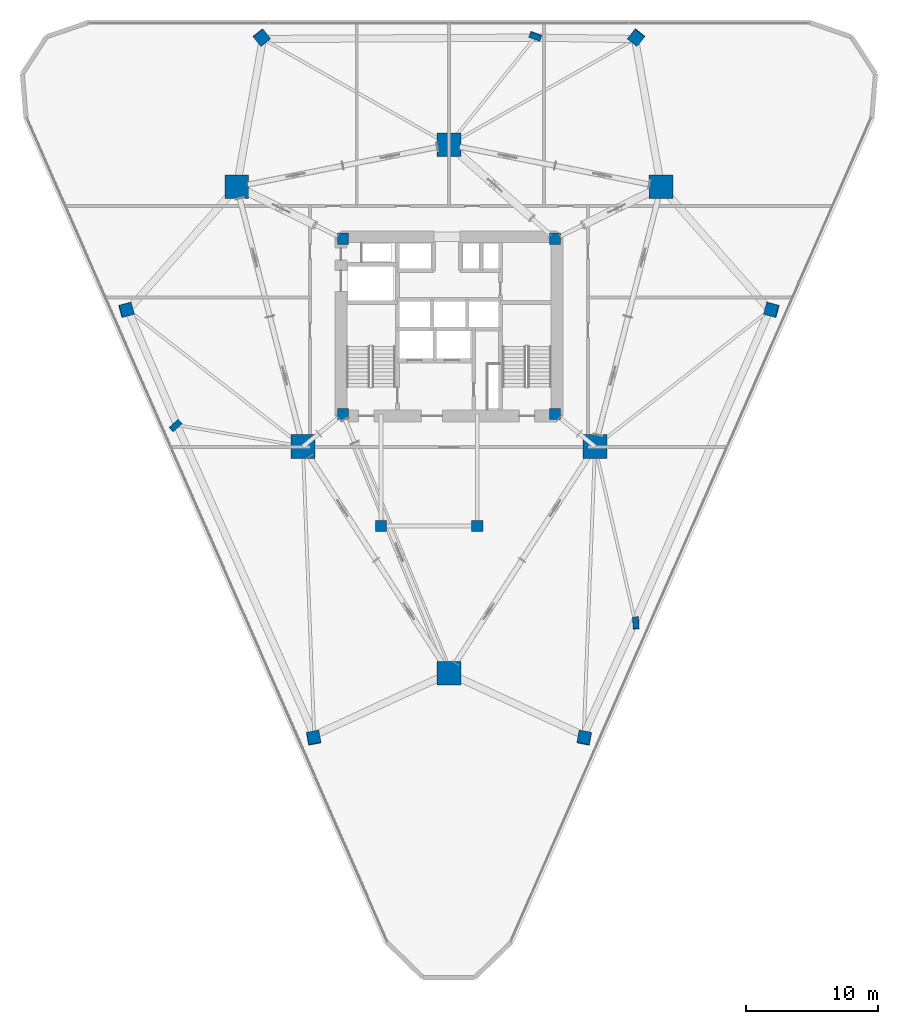
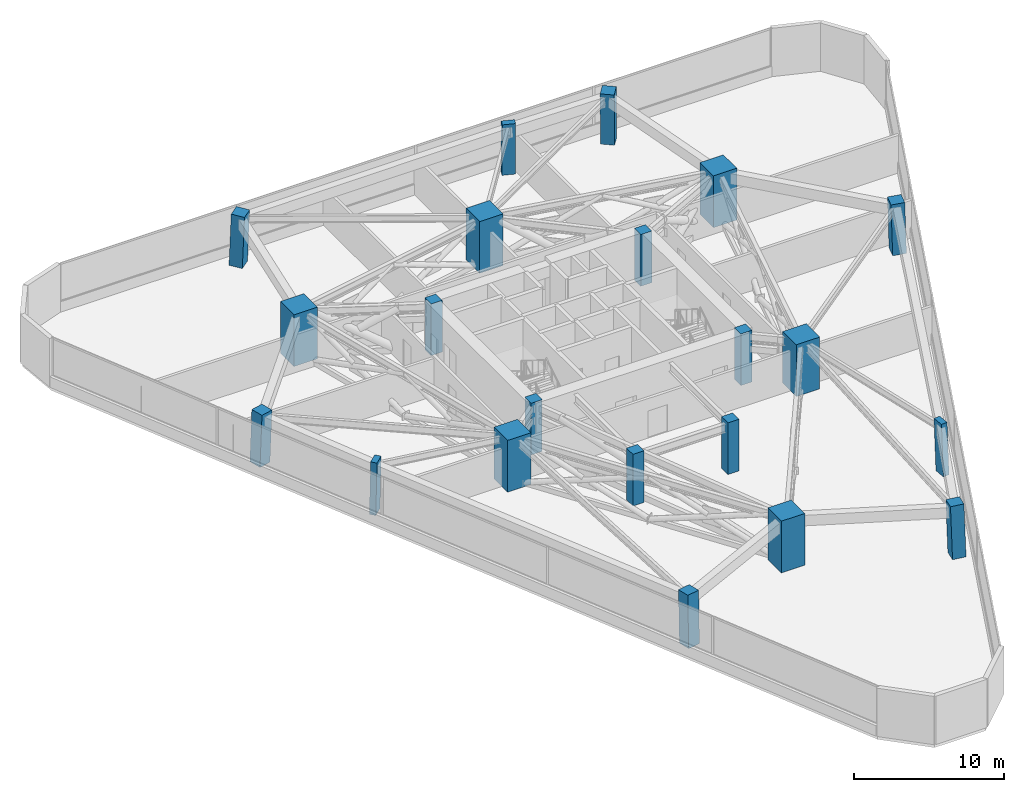
# One storey, part 1 of 20: 21 columns.
"""IFC4 building model written with IfcOpenShell, lengths in metres."""

from ifc_helpers import new_model, si_unit, direction, frame, origin, origin_2d, place, context, subcontext, project, spatial, rectangle, extrude, material, material_profile, profile_set, type_object, element, save


model = new_model("IFC4")

# Units and contexts
model_context = context("Model", 3, precision=1e-05, world=origin(), true_north=direction((0.0, 1.0)))
body_context = subcontext(model_context, "Body", "Model", "MODEL_VIEW")
ifc_project = project(units=[si_unit("LENGTHUNIT", "METRE"), si_unit("AREAUNIT", "SQUARE_METRE"), si_unit("VOLUMEUNIT", "CUBIC_METRE"), si_unit("PLANEANGLEUNIT", "RADIAN"), si_unit("MASSUNIT", "GRAM", prefix="KILO")], contexts=[model_context])

# Site, building, storey
site_placement = place(None, origin())
site = spatial("IfcSite", under=ifc_project, at=site_placement, CompositionType="ELEMENT")
building_placement = place(site_placement, origin())
building = spatial("IfcBuilding", under=site, at=building_placement, Name="Talyreon Biosciences Tower", CompositionType="ELEMENT")
storey_placement = place(building_placement, frame((0.0, 0.0, 70.800048828125)))
storey = spatial("IfcBuildingStorey", under=building, at=storey_placement, Name="L18", CompositionType="ELEMENT", Elevation=70.800048828125)

# Columns
ifc_material_1 = material(Name="Precast concrete C45/55", Category="concrete")
ifc_material_profile_1 = material_profile(ifc_material_1, rectangle(XDim=0.89990234375, YDim=0.449951171875, at=origin_2d()), Name="RC 900x450")
ifc_profile_set_1 = profile_set([ifc_material_profile_1], Name="Precast concrete C45/55")
column_type_1 = type_object("IfcColumnType", Name="FacadePilaster_900x450", PredefinedType="PILASTER", material=ifc_profile_set_1)
column_1_placement = place(storey_placement, frame((80.195068359375, 45.46630859375, 0.0029296875), z_axis=(-0.017043817849, 0.033215085297, 0.99930289021), x_axis=(0.061348215588, -0.997530242772, 0.034202502811)))
element("IfcColumn", 1, at=column_1_placement, inside=storey, type_object=column_type_1, Name="L18 Facade Pilaster PL-SE", PredefinedType="PILASTER", context=body_context, shape_type="SweptSolid", body=[
    extrude(rectangle(XDim=0.89990234375, YDim=0.449951171875, at=origin_2d()), origin(), (0.0, 0.0, 1.0), 4.197021484375),
])
column_2_placement = place(storey_placement, frame((72.56396484375, 90.037109375, 0.0029296875), z_axis=(-0.010763761875, -0.029149430808, 0.999517109465), x_axis=(-0.9380871136, 0.346399433166, 0.0)))
element("IfcColumn", 2, at=column_2_placement, inside=storey, type_object=column_type_1, Name="L18 Facade Pilaster PL-N", PredefinedType="PILASTER", context=body_context, shape_type="SweptSolid", body=[
    extrude(rectangle(XDim=0.89990234375, YDim=0.449951171875, at=origin_2d()), origin(), (0.0, 0.0, 1.0), 4.196044921875),
])
column_3_placement = place(storey_placement, frame((45.240966796875, 60.468994140625, 0.0029296875), z_axis=(0.027812744233, 0.00913514821, 0.999571408317), x_axis=(0.744953289823, 0.666577291136, -0.026819972481)))
element("IfcColumn", 3, at=column_3_placement, inside=storey, type_object=column_type_1, Name="L18 Facade Pilaster PL-SW", PredefinedType="PILASTER", context=body_context, shape_type="SweptSolid", body=[
    extrude(rectangle(XDim=0.89990234375, YDim=0.449951171875, at=origin_2d()), origin(), (0.0, 0.0, 1.0), 4.19580078125),
])
ifc_material_2 = material(Name="Concrete C60/75", Category="concrete")
ifc_material_profile_2 = material_profile(ifc_material_2, rectangle(XDim=1.800048828125, YDim=1.800048828125, at=origin_2d()), Name="RC 1800x1800")
ifc_profile_set_2 = profile_set([ifc_material_profile_2], Name="Concrete C60/75")
column_type_2 = type_object("IfcColumnType", Name="MegaColumn_1800", PredefinedType="COLUMN", material=ifc_profile_set_2)
for number, where, z_axis, x_axis, name in (
    (4, (66.0, 41.6669921875, 0.0), (0.0, 0.0, 1.0), (1.0, 0.0, 0.0), "L18 Composite Mega-Column MC1"),
    (5, (82.102294921875, 78.5986328125, 0.0), (0.0, 0.0, 1.0), (1.0, 0.0, 0.0), "L18 Composite Mega-Column MC2"),
    (6, (49.897705078125, 78.5986328125, 0.0), (0.0, 0.0, 1.0), (1.0, 0.0, 0.0), "L18 Composite Mega-Column MC3"),
    (7, (77.086181640625, 58.88037109375, 0.0), (0.0, 0.0, 1.0), (1.0, 0.0, 0.0), "L18 Composite Mega-Column MC4"),
    (8, (66.0, 81.788818359375, 0.0), (0.0, 0.0, 1.0), (1.0, 0.0, 0.0), "L18 Composite Mega-Column MC5"),
    (9, (54.913818359375, 58.88037109375, 0.0), (0.0, 0.0, 1.0), (1.0, 0.0, 0.0), "L18 Composite Mega-Column MC6"),
):
    element("IfcColumn", number, at=place(storey_placement, frame(where, z_axis=z_axis, x_axis=x_axis)), inside=storey, type_object=column_type_2, Name=name, PredefinedType="COLUMN", context=body_context, shape_type="SweptSolid", body=[
        extrude(rectangle(XDim=1.800048828125, YDim=1.800048828125, at=origin_2d()), origin(), (0.0, 0.0, 1.0), 4.199951171875),
    ])
ifc_material_profile_3 = material_profile(ifc_material_2, rectangle(XDim=0.85009765625, YDim=0.85009765625, at=origin_2d()), Name="RC 850x850")
ifc_profile_set_3 = profile_set([ifc_material_profile_3], Name="Concrete C60/75")
column_type_3 = type_object("IfcColumnType", Name="PerimeterColumn_850", PredefinedType="COLUMN", material=ifc_profile_set_3)
for number, where, z_axis, x_axis, name in (
    (10, (57.949951171875, 61.35009765625, 0.0), (0.0, 0.0, 1.0), (1.0, 0.0, 0.0), "L18 Core Column CC1"),
    (11, (74.050048828125, 61.35009765625, 0.0), (0.0, 0.0, 1.0), (1.0, 0.0, 0.0), "L18 Core Column CC2"),
    (12, (74.050048828125, 74.64990234375, 0.0), (0.0, 0.0, 1.0), (1.0, 0.0, 0.0), "L18 Core Column CC3"),
    (13, (57.949951171875, 74.64990234375, 0.0), (0.0, 0.0, 1.0), (1.0, 0.0, 0.0), "L18 Core Column CC4"),
    (14, (60.85009765625, 52.840087890625, 0.0), (0.0, 0.0, 1.0), (1.0, 0.0, 0.0), "L18 Core Column CSW"),
    (15, (68.14990234375, 52.840087890625, 0.0), (0.0, 0.0, 1.0), (1.0, 0.0, 0.0), "L18 Core Column CSE"),
):
    element("IfcColumn", number, at=place(storey_placement, frame(where, z_axis=z_axis, x_axis=x_axis)), inside=storey, type_object=column_type_3, Name=name, PredefinedType="COLUMN", context=body_context, shape_type="SweptSolid", body=[
        extrude(rectangle(XDim=0.85009765625, YDim=0.85009765625, at=origin_2d()), origin(), (0.0, 0.0, 1.0), 4.199951171875),
    ])
ifc_material_profile_4 = material_profile(ifc_material_2, rectangle(XDim=0.949951171875, YDim=0.949951171875, at=origin_2d()), Name="RC 950x950")
ifc_profile_set_4 = profile_set([ifc_material_profile_4], Name="Concrete C60/75")
column_type_4 = type_object("IfcColumnType", Name="PerimeterColumn_950", PredefinedType="COLUMN", material=ifc_profile_set_4)
column_4_placement = place(storey_placement, frame((76.2744140625, 36.754638671875, 0.0029296875), z_axis=(-0.010756270952, 0.047327592189, 0.998821506403), x_axis=(-0.18806176199, -0.981150159002, 0.04446503309)))
element("IfcColumn", 16, at=column_4_placement, inside=storey, type_object=column_type_4, Name="L18 Tapering Perimeter Column PC-SE1", PredefinedType="COLUMN", context=body_context, shape_type="SweptSolid", body=[
    extrude(rectangle(XDim=0.949951171875, YDim=0.949951171875, at=origin_2d()), origin(), (0.0, 0.0, 1.0), 4.198974609375),
])
column_5_placement = place(storey_placement, frame((90.496337890625, 69.260986328125, 0.0029296875), z_axis=(-0.034091159892, -0.005003139506, 0.99940620441), x_axis=(0.964106610004, -0.263632228909, 0.03156726828)))
element("IfcColumn", 17, at=column_5_placement, inside=storey, type_object=column_type_4, Name="L18 Tapering Perimeter Column PC-SE2", PredefinedType="COLUMN", context=body_context, shape_type="SweptSolid", body=[
    extrude(rectangle(XDim=0.949951171875, YDim=0.949951171875, at=origin_2d()), origin(), (0.0, 0.0, 1.0), 4.196533203125),
])
for number, where, z_axis, x_axis, name in (
    (18, (80.221923828125, 89.93701171875, 0.0029296875), (-0.023326184215, -0.02914318776, 0.999303038991), (-0.780716755404, 0.624885067698, 0.0), "L18 Tapering Perimeter Column PC-N1"),
    (19, (51.778076171875, 89.93701171875, 0.0029296875), (0.023326184215, -0.02914318776, 0.999303038991), (-0.780716755404, -0.624885067698, 0.0), "L18 Tapering Perimeter Column PC-N2"),
):
    element("IfcColumn", number, at=place(storey_placement, frame(where, z_axis=z_axis, x_axis=x_axis)), inside=storey, type_object=column_type_4, Name=name, PredefinedType="COLUMN", context=body_context, shape_type="SweptSolid", body=[
        extrude(rectangle(XDim=0.949951171875, YDim=0.949951171875, at=origin_2d()), origin(), (0.0, 0.0, 1.0), 4.197021484375),
    ])
column_6_placement = place(storey_placement, frame((41.503662109375, 69.260986328125, 0.0029296875), z_axis=(0.034091159892, -0.005003139506, 0.99940620441), x_axis=(0.964106610004, 0.263632228909, -0.03156726828)))
element("IfcColumn", 20, at=column_6_placement, inside=storey, type_object=column_type_4, Name="L18 Tapering Perimeter Column PC-SW1", PredefinedType="COLUMN", context=body_context, shape_type="SweptSolid", body=[
    extrude(rectangle(XDim=0.949951171875, YDim=0.949951171875, at=origin_2d()), origin(), (0.0, 0.0, 1.0), 4.196533203125),
])
column_7_placement = place(storey_placement, frame((55.7255859375, 36.754638671875, 0.0029296875), z_axis=(0.010756270952, 0.047327592189, 0.998821506403), x_axis=(-0.18806176199, 0.981150159002, -0.04446503309)))
element("IfcColumn", 21, at=column_7_placement, inside=storey, type_object=column_type_4, Name="L18 Tapering Perimeter Column PC-SW2", PredefinedType="COLUMN", context=body_context, shape_type="SweptSolid", body=[
    extrude(rectangle(XDim=0.949951171875, YDim=0.949951171875, at=origin_2d()), origin(), (0.0, 0.0, 1.0), 4.198974609375),
])

save(model, "model.ifc")
